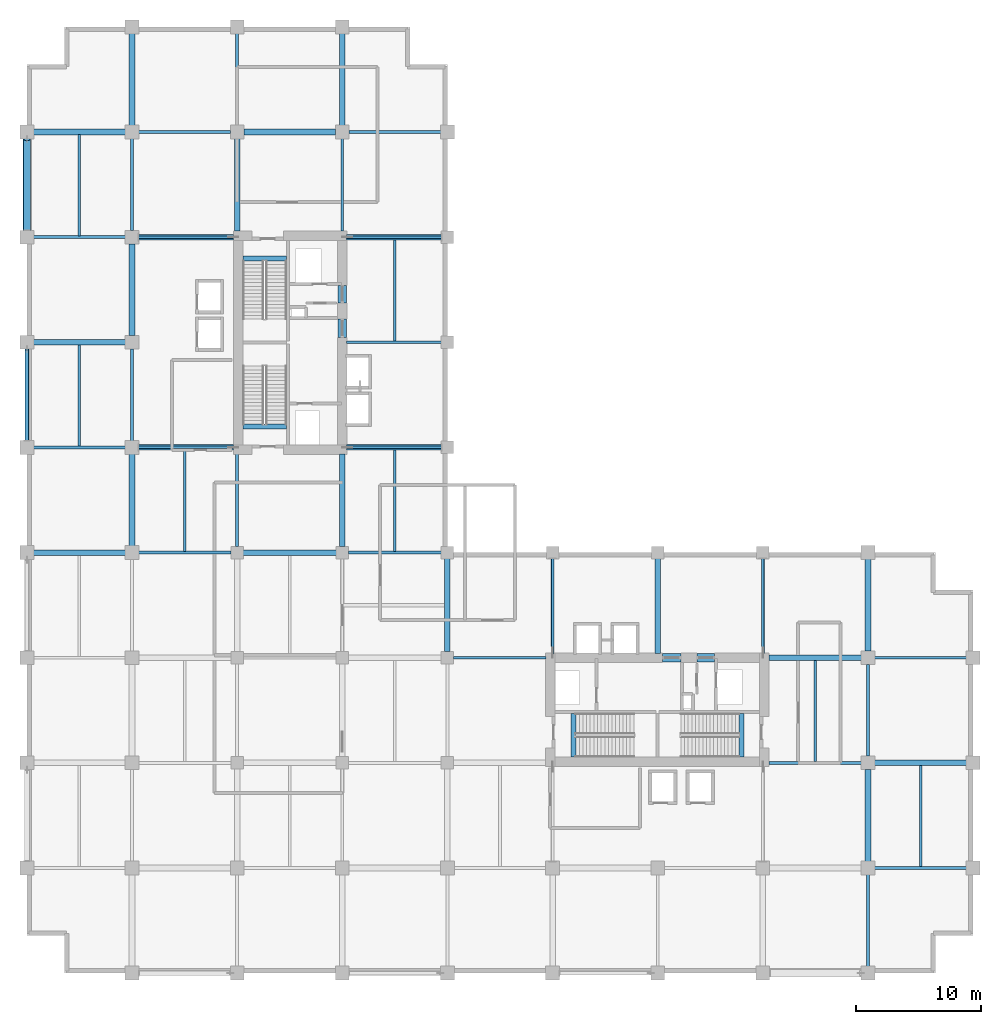
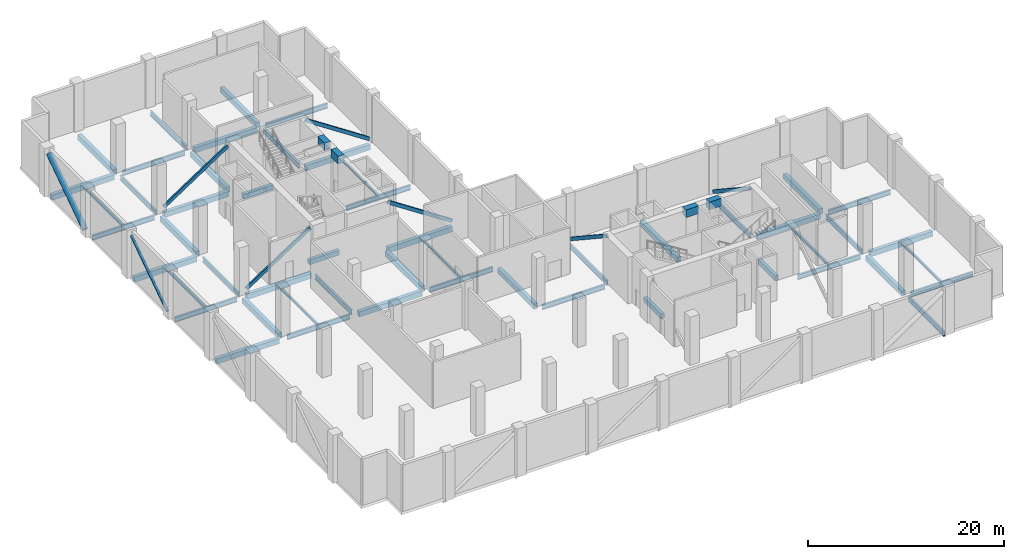
# One storey, part 2 of 16: 56 beams, 8 members.
"""IFC4 building model written with IfcOpenShell, lengths in metres."""

from ifc_helpers import new_model, si_unit, direction, frame, origin, origin_2d, place, context, subcontext, project, spatial, rectangle, hollow_rectangle, hollow_circle, i_section, extrude, material, material_profile, profile_set, type_object, element, save


model = new_model("IFC4")

# Units and contexts
model_context = context("Model", 3, precision=1e-05, world=origin(), true_north=direction((0.0, 1.0)))
body_context = subcontext(model_context, "Body", "Model", "MODEL_VIEW")
ifc_project = project(units=[si_unit("LENGTHUNIT", "METRE"), si_unit("AREAUNIT", "SQUARE_METRE"), si_unit("VOLUMEUNIT", "CUBIC_METRE"), si_unit("PLANEANGLEUNIT", "RADIAN"), si_unit("MASSUNIT", "GRAM", prefix="KILO")], contexts=[model_context])

# Site, building, storey
site_placement = place(None, origin())
site = spatial("IfcSite", under=ifc_project, at=site_placement, CompositionType="ELEMENT")
building_placement = place(site_placement, origin())
building = spatial("IfcBuilding", under=site, at=building_placement, Name="Koriwani Terraces Tower", CompositionType="ELEMENT")
storey_placement = place(building_placement, frame((0.0, 0.0, 162.0)))
storey = spatial("IfcBuildingStorey", under=building, at=storey_placement, Name="L39", CompositionType="ELEMENT", Elevation=162.0)

# Beams
ifc_material_1 = material(Name="Concrete C60/75", Category="concrete")
ifc_material_profile_1 = material_profile(ifc_material_1, rectangle(XDim=0.699951171875, YDim=0.949951171875, at=origin_2d()), Name="Concrete C60/75", Category="LoadBearing")
ifc_profile_set_1 = profile_set([ifc_material_profile_1], Name="Concrete C60/75")
beam_type_1 = type_object("IfcBeamType", Name="BEAM_RC_COUPLING_700X950", PredefinedType="LINTEL", material=ifc_profile_set_1)
beam_1_placement = place(storey_placement, frame((25.199951171875, 50.800048828125, 5.294921875), z_axis=(0.0, 1.0, 0.0), x_axis=(-1.0, 0.0, 0.0)))
element("IfcBeam", 1, at=beam_1_placement, inside=storey, type_object=beam_type_1, Name="L39 Core Coupling Lintel Beam WE1", PredefinedType="LINTEL", context=body_context, shape_type="SweptSolid", body=[
    extrude(rectangle(XDim=0.699951171875, YDim=0.949951171875, at=origin_2d()), origin(), (0.0, 0.0, 1.0), 1.47998046875),
])
beam_2_placement = place(storey_placement, frame((25.199951171875, 53.550048828125, 5.294921875), z_axis=(0.0, 1.0, 0.0), x_axis=(-1.0, 0.0, 0.0)))
element("IfcBeam", 2, at=beam_2_placement, inside=storey, type_object=beam_type_1, Name="L39 Core Coupling Lintel Beam WE2", PredefinedType="LINTEL", context=body_context, shape_type="SweptSolid", body=[
    extrude(rectangle(XDim=0.699951171875, YDim=0.949951171875, at=origin_2d()), origin(), (0.0, 0.0, 1.0), 1.39990234375),
])
beam_3_placement = place(storey_placement, frame((50.800048828125, 25.199951171875, 5.294921875), z_axis=(1.0, 0.0, 0.0), x_axis=(0.0, 1.0, 0.0)))
element("IfcBeam", 3, at=beam_3_placement, inside=storey, type_object=beam_type_1, Name="L39 Core Coupling Lintel Beam EN1", PredefinedType="LINTEL", context=body_context, shape_type="SweptSolid", body=[
    extrude(rectangle(XDim=0.699951171875, YDim=0.949951171875, at=origin_2d()), origin(), (0.0, 0.0, 1.0), 1.47998046875),
])
beam_4_placement = place(storey_placement, frame((53.550048828125, 25.199951171875, 5.294921875), z_axis=(1.0, 0.0, 0.0), x_axis=(0.0, 1.0, 0.0)))
element("IfcBeam", 4, at=beam_4_placement, inside=storey, type_object=beam_type_1, Name="L39 Core Coupling Lintel Beam EN2", PredefinedType="LINTEL", context=body_context, shape_type="SweptSolid", body=[
    extrude(rectangle(XDim=0.699951171875, YDim=0.949951171875, at=origin_2d()), origin(), (0.0, 0.0, 1.0), 1.39990234375),
])
ifc_material_2 = material(Name="Concrete C40/50", Category="concrete")
ifc_material_profile_2 = material_profile(ifc_material_2, rectangle(XDim=0.39990234375, YDim=0.60009765625, at=origin_2d()), Name="Concrete C40/50", Category="LoadBearing")
ifc_profile_set_2 = profile_set([ifc_material_profile_2], Name="Concrete C40/50")
beam_type_2 = type_object("IfcBeamType", Name="BEAM_RC_GRID_400X600", PredefinedType="BEAM", material=ifc_profile_set_2)
for number, where, z_axis, x_axis, name in (
    (5, (17.25, 43.655029296875, -0.300048828125), (1.0, 0.0, 0.0), (0.0, 1.0, 0.0), "L39 Stairwell Header Trimmer Beam ST-W1"),
    (6, (17.25, 57.094970703125, -0.300048828125), (1.0, 0.0, 0.0), (0.0, 1.0, 0.0), "L39 Stairwell Header Trimmer Beam ST-W2"),
    (7, (43.655029296875, 17.25, -0.300048828125), (0.0, 1.0, 0.0), (-1.0, 0.0, 0.0), "L39 Stairwell Header Trimmer Beam ST-E1"),
    (8, (57.094970703125, 17.25, -0.300048828125), (0.0, 1.0, 0.0), (-1.0, 0.0, 0.0), "L39 Stairwell Header Trimmer Beam ST-E2"),
):
    element("IfcBeam", number, at=place(storey_placement, frame(where, z_axis=z_axis, x_axis=x_axis)), inside=storey, type_object=beam_type_2, Name=name, PredefinedType="BEAM", context=body_context, shape_type="SweptSolid", body=[
        extrude(rectangle(XDim=0.39990234375, YDim=0.60009765625, at=origin_2d()), origin(), (0.0, 0.0, 1.0), 3.5),
    ])
ifc_material_3 = material(Name="Concrete C50/60", Category="concrete")
ifc_material_profile_3 = material_profile(ifc_material_3, rectangle(XDim=0.449951171875, YDim=0.64990234375, at=origin_2d()), Name="Concrete C50/60", Category="LoadBearing")
ifc_profile_set_3 = profile_set([ifc_material_profile_3], Name="Concrete C50/60")
beam_type_3 = type_object("IfcBeamType", Name="BEAM_RC_GRID_450X650", PredefinedType="BEAM", material=ifc_profile_set_3)
beam_5_placement = place(storey_placement, frame((67.72998046875, 16.800048828125, -0.675048828125), z_axis=(1.0, 0.0, 0.0), x_axis=(0.0, 1.0, 0.0)))
element("IfcBeam", 9, at=beam_5_placement, inside=storey, type_object=beam_type_3, Name="L39 Grid Beam C (67.2-75.6m)", PredefinedType="BEAM", context=body_context, shape_type="SweptSolid", body=[
    extrude(rectangle(XDim=0.449951171875, YDim=0.64990234375, at=origin_2d()), origin(), (0.0, 0.0, 1.0), 7.340087890625),
])
beam_6_placement = place(storey_placement, frame((59.280029296875, 25.199951171875, -0.675048828125), z_axis=(1.0, 0.0, 0.0), x_axis=(0.0, 1.0, 0.0)))
element("IfcBeam", 10, at=beam_6_placement, inside=storey, type_object=beam_type_3, Name="L39 Grid Beam D (58.8-67.2m)", PredefinedType="BEAM", context=body_context, shape_type="SweptSolid", body=[
    extrude(rectangle(XDim=0.449951171875, YDim=0.64990234375, at=origin_2d()), origin(), (0.0, 0.0, 1.0), 7.389892578125),
])
beam_7_placement = place(storey_placement, frame((0.530029296875, 33.60009765625, -0.675048828125), z_axis=(1.0, 0.0, 0.0), x_axis=(0.0, 1.0, 0.0)))
element("IfcBeam", 11, at=beam_7_placement, inside=storey, type_object=beam_type_3, Name="L39 Grid Beam E (0.0-8.4m)", PredefinedType="BEAM", context=body_context, shape_type="SweptSolid", body=[
    extrude(rectangle(XDim=0.449951171875, YDim=0.64990234375, at=origin_2d()), origin(), (0.0, 0.0, 1.0), 7.340087890625),
])
beam_8_placement = place(storey_placement, frame((17.280029296875, 33.60009765625, -0.675048828125), z_axis=(1.0, 0.0, 0.0), x_axis=(0.0, 1.0, 0.0)))
element("IfcBeam", 12, at=beam_8_placement, inside=storey, type_object=beam_type_3, Name="L39 Grid Beam E (16.8-25.2m)", PredefinedType="BEAM", context=body_context, shape_type="SweptSolid", body=[
    extrude(rectangle(XDim=0.449951171875, YDim=0.64990234375, at=origin_2d()), origin(), (0.0, 0.0, 1.0), 7.43994140625),
])
beam_9_placement = place(storey_placement, frame((8.929931640625, 42.0, -0.675048828125), z_axis=(1.0, 0.0, 0.0), x_axis=(0.0, 1.0, 0.0)))
element("IfcBeam", 13, at=beam_9_placement, inside=storey, type_object=beam_type_3, Name="L39 Grid Beam F (8.4-16.8m)", PredefinedType="BEAM", context=body_context, shape_type="SweptSolid", body=[
    extrude(rectangle(XDim=0.449951171875, YDim=0.64990234375, at=origin_2d()), origin(), (0.0, 0.0, 1.0), 7.590087890625),
])
beam_10_placement = place(storey_placement, frame((25.554931640625, 42.0, -0.675048828125), z_axis=(1.0, 0.0, 0.0), x_axis=(0.0, 1.0, 0.0)))
element("IfcBeam", 14, at=beam_10_placement, inside=storey, type_object=beam_type_3, Name="L39 Grid Beam F (25.2-33.6m)", PredefinedType="BEAM", context=body_context, shape_type="SweptSolid", body=[
    extrude(rectangle(XDim=0.449951171875, YDim=0.64990234375, at=origin_2d()), origin(), (0.0, 0.0, 1.0), 7.565185546875),
])
beam_11_placement = place(storey_placement, frame((0.530029296875, 50.39990234375, -0.675048828125), z_axis=(1.0, 0.0, 0.0), x_axis=(0.0, 1.0, 0.0)))
element("IfcBeam", 15, at=beam_11_placement, inside=storey, type_object=beam_type_3, Name="L39 Grid Beam G (0.0-8.4m)", PredefinedType="BEAM", context=body_context, shape_type="SweptSolid", body=[
    extrude(rectangle(XDim=0.449951171875, YDim=0.64990234375, at=origin_2d()), origin(), (0.0, 0.0, 1.0), 7.340087890625),
])
beam_12_placement = place(storey_placement, frame((8.929931640625, 58.800048828125, -0.675048828125), z_axis=(1.0, 0.0, 0.0), x_axis=(0.0, 1.0, 0.0)))
element("IfcBeam", 16, at=beam_12_placement, inside=storey, type_object=beam_type_3, Name="L39 Grid Beam H (8.4-16.8m)", PredefinedType="BEAM", context=body_context, shape_type="SweptSolid", body=[
    extrude(rectangle(XDim=0.449951171875, YDim=0.64990234375, at=origin_2d()), origin(), (0.0, 0.0, 1.0), 7.590087890625),
])
beam_13_placement = place(storey_placement, frame((25.554931640625, 58.800048828125, -0.675048828125), z_axis=(1.0, 0.0, 0.0), x_axis=(0.0, 1.0, 0.0)))
element("IfcBeam", 17, at=beam_13_placement, inside=storey, type_object=beam_type_3, Name="L39 Grid Beam H (25.2-33.6m)", PredefinedType="BEAM", context=body_context, shape_type="SweptSolid", body=[
    extrude(rectangle(XDim=0.449951171875, YDim=0.64990234375, at=origin_2d()), origin(), (0.0, 0.0, 1.0), 7.565185546875),
])
beam_14_placement = place(storey_placement, frame((0.530029296875, 67.199951171875, -0.675048828125), z_axis=(1.0, 0.0, 0.0), x_axis=(0.0, 1.0, 0.0)))
element("IfcBeam", 18, at=beam_14_placement, inside=storey, type_object=beam_type_3, Name="L39 Grid Beam I (0.0-8.4m)", PredefinedType="BEAM", context=body_context, shape_type="SweptSolid", body=[
    extrude(rectangle(XDim=0.449951171875, YDim=0.64990234375, at=origin_2d()), origin(), (0.0, 0.0, 1.0), 7.340087890625),
])
beam_15_placement = place(storey_placement, frame((17.330078125, 67.199951171875, -0.675048828125), z_axis=(1.0, 0.0, 0.0), x_axis=(0.0, 1.0, 0.0)))
element("IfcBeam", 19, at=beam_15_placement, inside=storey, type_object=beam_type_3, Name="L39 Grid Beam I (16.8-25.2m)", PredefinedType="BEAM", context=body_context, shape_type="SweptSolid", body=[
    extrude(rectangle(XDim=0.449951171875, YDim=0.64990234375, at=origin_2d()), origin(), (0.0, 0.0, 1.0), 7.33984375),
])
for number, where, z_axis, x_axis, name in (
    (20, (8.39990234375, 34.1298828125, -0.675048828125), (0.0, 1.0, 0.0), (-1.0, 0.0, 0.0), "L39 Grid Beam 2 (33.6-42.0m)"),
    (21, (8.39990234375, 50.929931640625, -0.675048828125), (0.0, 1.0, 0.0), (-1.0, 0.0, 0.0), "L39 Grid Beam 2 (50.4-58.8m)"),
    (22, (8.39990234375, 67.72998046875, -0.675048828125), (0.0, 1.0, 0.0), (-1.0, 0.0, 0.0), "L39 Grid Beam 2 (67.2-75.6m)"),
):
    element("IfcBeam", number, at=place(storey_placement, frame(where, z_axis=z_axis, x_axis=x_axis)), inside=storey, type_object=beam_type_3, Name=name, PredefinedType="BEAM", context=body_context, shape_type="SweptSolid", body=[
        extrude(rectangle(XDim=0.449951171875, YDim=0.64990234375, at=origin_2d()), origin(), (0.0, 0.0, 1.0), 7.340087890625),
    ])
for number, where, z_axis, x_axis, name in (
    (23, (16.800048828125, 59.280029296875, -0.675048828125), (0.0, 1.0, 0.0), (-1.0, 0.0, 0.0), "L39 Grid Beam 3 (58.8-67.2m)"),
    (24, (25.199951171875, 34.080078125, -0.675048828125), (0.0, 1.0, 0.0), (-1.0, 0.0, 0.0), "L39 Grid Beam 4 (33.6-42.0m)"),
):
    element("IfcBeam", number, at=place(storey_placement, frame(where, z_axis=z_axis, x_axis=x_axis)), inside=storey, type_object=beam_type_3, Name=name, PredefinedType="BEAM", context=body_context, shape_type="SweptSolid", body=[
        extrude(rectangle(XDim=0.449951171875, YDim=0.64990234375, at=origin_2d()), origin(), (0.0, 0.0, 1.0), 7.389892578125),
    ])
beam_16_placement = place(storey_placement, frame((25.199951171875, 67.72998046875, -0.675048828125), z_axis=(0.0, 1.0, 0.0), x_axis=(-1.0, 0.0, 0.0)))
element("IfcBeam", 25, at=beam_16_placement, inside=storey, type_object=beam_type_3, Name="L39 Grid Beam 4 (67.2-75.6m)", PredefinedType="BEAM", context=body_context, shape_type="SweptSolid", body=[
    extrude(rectangle(XDim=0.449951171875, YDim=0.64990234375, at=origin_2d()), origin(), (0.0, 0.0, 1.0), 7.340087890625),
])
beam_17_placement = place(storey_placement, frame((33.60009765625, 25.679931640625, -0.675048828125), z_axis=(0.0, 1.0, 0.0), x_axis=(-1.0, 0.0, 0.0)))
element("IfcBeam", 26, at=beam_17_placement, inside=storey, type_object=beam_type_3, Name="L39 Grid Beam 5 (25.2-33.6m)", PredefinedType="BEAM", context=body_context, shape_type="SweptSolid", body=[
    extrude(rectangle(XDim=0.449951171875, YDim=0.64990234375, at=origin_2d()), origin(), (0.0, 0.0, 1.0), 7.440185546875),
])
beam_18_placement = place(storey_placement, frame((50.39990234375, 25.554931640625, -0.675048828125), z_axis=(0.0, 1.0, 0.0), x_axis=(-1.0, 0.0, 0.0)))
element("IfcBeam", 27, at=beam_18_placement, inside=storey, type_object=beam_type_3, Name="L39 Grid Beam 7 (25.2-33.6m)", PredefinedType="BEAM", context=body_context, shape_type="SweptSolid", body=[
    extrude(rectangle(XDim=0.449951171875, YDim=0.64990234375, at=origin_2d()), origin(), (0.0, 0.0, 1.0), 7.565185546875),
])
for number, where, z_axis, x_axis, name in (
    (28, (67.199951171875, 8.929931640625, -0.675048828125), (0.0, 1.0, 0.0), (-1.0, 0.0, 0.0), "L39 Grid Beam 9 (8.4-16.8m)"),
    (29, (67.199951171875, 25.72998046875, -0.675048828125), (0.0, 1.0, 0.0), (-1.0, 0.0, 0.0), "L39 Grid Beam 9 (25.2-33.6m)"),
):
    element("IfcBeam", number, at=place(storey_placement, frame(where, z_axis=z_axis, x_axis=x_axis)), inside=storey, type_object=beam_type_3, Name=name, PredefinedType="BEAM", context=body_context, shape_type="SweptSolid", body=[
        extrude(rectangle(XDim=0.449951171875, YDim=0.64990234375, at=origin_2d()), origin(), (0.0, 0.0, 1.0), 7.340087890625),
    ])

# Members
ifc_material_4 = material(Name="Steel ASTM A572 Grade 50", Category="steel")
ifc_material_profile_4 = material_profile(ifc_material_4, hollow_circle(Radius=0.162109375, WallThickness=0.012451171875, at=origin_2d()), Name="Steel ASTM A572 Grade 50", Category="LoadBearing")
ifc_profile_set_4 = profile_set([ifc_material_profile_4], Name="Steel ASTM A572 Grade 50")
member_type_1 = type_object("IfcMemberType", Name="BELT_TRUSS_DIAG_CHS324X12", PredefinedType="BRACE", material=ifc_profile_set_4)
member_1_placement = place(storey_placement, frame((0.0, 42.530029296875, 0.25), z_axis=(0.0, 0.828041606434, 0.560666654987), x_axis=(-1.0, 0.0, 0.0)))
element("IfcMember", 30, at=member_1_placement, inside=storey, type_object=member_type_1, Name="Belt truss diagonal L39-BW3", PredefinedType="BRACE", context=body_context, shape_type="SweptSolid", body=[
    extrude(hollow_circle(Radius=0.162109375, WallThickness=0.012451171875, at=origin_2d()), origin(), (0.0, 0.0, 1.0), 8.864501953125),
])
ifc_material_profile_5 = material_profile(ifc_material_4, hollow_circle(Radius=0.304931640625, WallThickness=0.02490234375, at=origin_2d()), Name="Steel ASTM A572 Grade 50", Category="LoadBearing")
ifc_profile_set_5 = profile_set([ifc_material_profile_5], Name="Steel ASTM A572 Grade 50")
member_type_2 = type_object("IfcMemberType", Name="BELT_TRUSS_DIAG_CHS610X25", PredefinedType="STRUT", material=ifc_profile_set_5)
member_2_placement = place(storey_placement, frame((0.0, 59.330078125, 0.25), z_axis=(0.0, 0.82803294848, 0.560679441598), x_axis=(-1.0, 0.0, 0.0)))
element("IfcMember", 31, at=member_2_placement, inside=storey, type_object=member_type_2, Name="Belt truss diagonal L39-BW4", PredefinedType="STRUT", context=body_context, shape_type="SweptSolid", body=[
    extrude(hollow_circle(Radius=0.304931640625, WallThickness=0.02490234375, at=origin_2d()), origin(), (0.0, 0.0, 1.0), 8.8642578125),
])
ifc_material_profile_6 = material_profile(ifc_material_4, hollow_rectangle(XDim=0.199951171875, YDim=0.39990234375, WallThickness=0.01416015625, at=origin_2d()), Name="Steel ASTM A572 Grade 50", Category="LoadBearing")
ifc_profile_set_6 = profile_set([ifc_material_profile_6], Name="Steel ASTM A572 Grade 50")
member_type_3 = type_object("IfcMemberType", Name="OUTRIGGER_BRACE_HSS400X200X14", PredefinedType="BRACE", material=ifc_profile_set_6)
for number, where, z_axis, x_axis, name in (
    (32, (8.929931640625, 42.0, 0.25), (0.835273128378, 0.0, 0.54983524897), (0.0, 1.0, 0.0), "Outrigger truss diagonal L39-OW-W1"),
    (33, (8.929931640625, 58.800048828125, 0.25), (0.835273128378, 0.0, 0.54983524897), (0.0, 1.0, 0.0), "Outrigger truss diagonal L39-OW-W2"),
):
    element("IfcMember", number, at=place(storey_placement, frame(where, z_axis=z_axis, x_axis=x_axis)), inside=storey, type_object=member_type_3, Name=name, PredefinedType="BRACE", context=body_context, shape_type="SweptSolid", body=[
        extrude(hollow_rectangle(XDim=0.199951171875, YDim=0.39990234375, WallThickness=0.01416015625, at=origin_2d()), origin(), (0.0, 0.0, 1.0), 9.0390625),
    ])
for number, where, z_axis, x_axis, name in (
    (34, (33.1201171875, 42.0, 0.25), (-0.834437362341, 0.0, 0.551102792888), (0.0, -1.0, 0.0), "Outrigger truss diagonal L39-OW-E1"),
    (35, (33.1201171875, 58.800048828125, 0.25), (-0.834437362341, 0.0, 0.551102792888), (0.0, -1.0, 0.0), "Outrigger truss diagonal L39-OW-E2"),
    (36, (42.0, 33.1201171875, 0.25), (0.0, -0.834437362341, 0.551102792888), (1.0, 0.0, 0.0), "Outrigger truss diagonal L39-OE-N1"),
    (37, (58.800048828125, 33.1201171875, 0.25), (0.0, -0.834437362341, 0.551102792888), (1.0, 0.0, 0.0), "Outrigger truss diagonal L39-OE-N2"),
):
    element("IfcMember", number, at=place(storey_placement, frame(where, z_axis=z_axis, x_axis=x_axis)), inside=storey, type_object=member_type_3, Name=name, PredefinedType="BRACE", context=body_context, shape_type="SweptSolid", body=[
        extrude(hollow_rectangle(XDim=0.199951171875, YDim=0.39990234375, WallThickness=0.01416015625, at=origin_2d()), origin(), (0.0, 0.0, 1.0), 9.018310546875),
    ])

# Beams
ifc_material_profile_7 = material_profile(ifc_material_4, i_section(OverallWidth=0.205078125, OverallDepth=0.31005859375, WebThickness=0.009521484375, FlangeThickness=0.016357421875, at=origin_2d()), Name="Steel ASTM A572 Grade 50", Category="LoadBearing")
ifc_profile_set_7 = profile_set([ifc_material_profile_7], Name="Steel ASTM A572 Grade 50")
beam_type_4 = type_object("IfcBeamType", Name="STEEL_BEAM_W310X74", PredefinedType="JOIST", material=ifc_profile_set_7)
for number, where, z_axis, x_axis, name in (
    (38, (4.199951171875, 42.1044921875, -0.5048828125), (0.0, 1.0, 0.0), (-1.0, 0.0, 0.0), "L39 Secondary Steel Floor Joist X=4.2m"),
    (39, (4.199951171875, 58.904541015625, -0.5048828125), (0.0, 1.0, 0.0), (-1.0, 0.0, 0.0), "L39 Secondary Steel Floor Joist X=4.2m"),
):
    element("IfcBeam", number, at=place(storey_placement, frame(where, z_axis=z_axis, x_axis=x_axis)), inside=storey, type_object=beam_type_4, Name=name, PredefinedType="JOIST", context=body_context, shape_type="SweptSolid", body=[
        extrude(i_section(OverallWidth=0.205078125, OverallDepth=0.31005859375, WebThickness=0.009521484375, FlangeThickness=0.016357421875, at=origin_2d()), origin(), (0.0, 0.0, 1.0), 8.08056640625),
    ])
for number, where, z_axis, x_axis, name in (
    (40, (12.60009765625, 33.70458984375, -0.5048828125), (0.0, 1.0, 0.0), (-1.0, 0.0, 0.0), "L39 Secondary Steel Floor Joist X=12.6m"),
    (41, (29.39990234375, 33.70458984375, -0.5048828125), (0.0, 1.0, 0.0), (-1.0, 0.0, 0.0), "L39 Secondary Steel Floor Joist X=29.4m"),
):
    element("IfcBeam", number, at=place(storey_placement, frame(where, z_axis=z_axis, x_axis=x_axis)), inside=storey, type_object=beam_type_4, Name=name, PredefinedType="JOIST", context=body_context, shape_type="SweptSolid", body=[
        extrude(i_section(OverallWidth=0.205078125, OverallDepth=0.31005859375, WebThickness=0.009521484375, FlangeThickness=0.016357421875, at=origin_2d()), origin(), (0.0, 0.0, 1.0), 8.080322265625),
    ])
for number, where, z_axis, x_axis, name in (
    (42, (29.39990234375, 50.50439453125, -0.5048828125), (0.0, 1.0, 0.0), (-1.0, 0.0, 0.0), "L39 Secondary Steel Floor Joist X=29.4m"),
    (43, (63.0, 16.904541015625, -0.5048828125), (0.0, 1.0, 0.0), (-1.0, 0.0, 0.0), "L39 Secondary Steel Floor Joist X=63.0m"),
    (44, (71.39990234375, 8.50439453125, -0.5048828125), (0.0, 1.0, 0.0), (-1.0, 0.0, 0.0), "L39 Secondary Steel Floor Joist X=71.4m"),
):
    element("IfcBeam", number, at=place(storey_placement, frame(where, z_axis=z_axis, x_axis=x_axis)), inside=storey, type_object=beam_type_4, Name=name, PredefinedType="JOIST", context=body_context, shape_type="SweptSolid", body=[
        extrude(i_section(OverallWidth=0.205078125, OverallDepth=0.31005859375, WebThickness=0.009521484375, FlangeThickness=0.016357421875, at=origin_2d()), origin(), (0.0, 0.0, 1.0), 8.08056640625),
    ])
ifc_material_profile_8 = material_profile(ifc_material_4, i_section(OverallWidth=0.22900390625, OverallDepth=0.611083984375, WebThickness=0.0126953125, FlangeThickness=0.022216796875, at=origin_2d()), Name="Steel ASTM A572 Grade 50", Category="LoadBearing")
ifc_profile_set_8 = profile_set([ifc_material_profile_8], Name="Steel ASTM A572 Grade 50")
beam_type_5 = type_object("IfcBeamType", Name="STEEL_BEAM_W610X155", PredefinedType="BEAM", material=ifc_profile_set_8)
beam_19_placement = place(storey_placement, frame((67.72998046875, 8.39990234375, -0.655517578125), z_axis=(1.0, 0.0, 0.0), x_axis=(0.0, 1.0, 0.0)))
element("IfcBeam", 45, at=beam_19_placement, inside=storey, type_object=beam_type_5, Name="L39 Grid Beam B (67.2-75.6m)", PredefinedType="BEAM", context=body_context, shape_type="SweptSolid", body=[
    extrude(i_section(OverallWidth=0.22900390625, OverallDepth=0.611083984375, WebThickness=0.0126953125, FlangeThickness=0.022216796875, at=origin_2d()), origin(), (0.0, 0.0, 1.0), 7.340087890625),
])
for number, where, z_axis, x_axis, name in (
    (46, (59.280029296875, 16.800048828125, -0.655517578125), (1.0, 0.0, 0.0), (0.0, 1.0, 0.0), "L39 Grid Beam C (58.8-67.2m)"),
    (47, (34.080078125, 25.199951171875, -0.655517578125), (1.0, 0.0, 0.0), (0.0, 1.0, 0.0), "L39 Grid Beam D (33.6-42.0m)"),
):
    element("IfcBeam", number, at=place(storey_placement, frame(where, z_axis=z_axis, x_axis=x_axis)), inside=storey, type_object=beam_type_5, Name=name, PredefinedType="BEAM", context=body_context, shape_type="SweptSolid", body=[
        extrude(i_section(OverallWidth=0.22900390625, OverallDepth=0.611083984375, WebThickness=0.0126953125, FlangeThickness=0.022216796875, at=origin_2d()), origin(), (0.0, 0.0, 1.0), 7.389892578125),
    ])
beam_20_placement = place(storey_placement, frame((67.72998046875, 25.199951171875, -0.655517578125), z_axis=(1.0, 0.0, 0.0), x_axis=(0.0, 1.0, 0.0)))
element("IfcBeam", 48, at=beam_20_placement, inside=storey, type_object=beam_type_5, Name="L39 Grid Beam D (67.2-75.6m)", PredefinedType="BEAM", context=body_context, shape_type="SweptSolid", body=[
    extrude(i_section(OverallWidth=0.22900390625, OverallDepth=0.611083984375, WebThickness=0.0126953125, FlangeThickness=0.022216796875, at=origin_2d()), origin(), (0.0, 0.0, 1.0), 7.340087890625),
])
beam_21_placement = place(storey_placement, frame((8.929931640625, 33.60009765625, -0.655517578125), z_axis=(1.0, 0.0, 0.0), x_axis=(0.0, 1.0, 0.0)))
element("IfcBeam", 49, at=beam_21_placement, inside=storey, type_object=beam_type_5, Name="L39 Grid Beam E (8.4-16.8m)", PredefinedType="BEAM", context=body_context, shape_type="SweptSolid", body=[
    extrude(i_section(OverallWidth=0.22900390625, OverallDepth=0.611083984375, WebThickness=0.0126953125, FlangeThickness=0.022216796875, at=origin_2d()), origin(), (0.0, 0.0, 1.0), 7.39013671875),
])
beam_22_placement = place(storey_placement, frame((25.679931640625, 33.60009765625, -0.655517578125), z_axis=(1.0, 0.0, 0.0), x_axis=(0.0, 1.0, 0.0)))
element("IfcBeam", 50, at=beam_22_placement, inside=storey, type_object=beam_type_5, Name="L39 Grid Beam E (25.2-33.6m)", PredefinedType="BEAM", context=body_context, shape_type="SweptSolid", body=[
    extrude(i_section(OverallWidth=0.22900390625, OverallDepth=0.611083984375, WebThickness=0.0126953125, FlangeThickness=0.022216796875, at=origin_2d()), origin(), (0.0, 0.0, 1.0), 7.440185546875),
])
beam_23_placement = place(storey_placement, frame((0.530029296875, 42.0, -0.655517578125), z_axis=(1.0, 0.0, 0.0), x_axis=(0.0, 1.0, 0.0)))
element("IfcBeam", 51, at=beam_23_placement, inside=storey, type_object=beam_type_5, Name="L39 Grid Beam F (0.0-8.4m)", PredefinedType="BEAM", context=body_context, shape_type="SweptSolid", body=[
    extrude(i_section(OverallWidth=0.22900390625, OverallDepth=0.611083984375, WebThickness=0.0126953125, FlangeThickness=0.022216796875, at=origin_2d()), origin(), (0.0, 0.0, 1.0), 7.340087890625),
])
beam_24_placement = place(storey_placement, frame((25.554931640625, 50.39990234375, -0.655517578125), z_axis=(1.0, 0.0, 0.0), x_axis=(0.0, 1.0, 0.0)))
element("IfcBeam", 52, at=beam_24_placement, inside=storey, type_object=beam_type_5, Name="L39 Grid Beam G (25.2-33.6m)", PredefinedType="BEAM", context=body_context, shape_type="SweptSolid", body=[
    extrude(i_section(OverallWidth=0.22900390625, OverallDepth=0.611083984375, WebThickness=0.0126953125, FlangeThickness=0.022216796875, at=origin_2d()), origin(), (0.0, 0.0, 1.0), 7.565185546875),
])
for number, where, z_axis, x_axis, name in (
    (53, (0.530029296875, 58.800048828125, -0.655517578125), (1.0, 0.0, 0.0), (0.0, 1.0, 0.0), "L39 Grid Beam H (0.0-8.4m)"),
    (54, (8.929931640625, 67.199951171875, -0.655517578125), (1.0, 0.0, 0.0), (0.0, 1.0, 0.0), "L39 Grid Beam I (8.4-16.8m)"),
    (55, (25.72998046875, 67.199951171875, -0.655517578125), (1.0, 0.0, 0.0), (0.0, 1.0, 0.0), "L39 Grid Beam I (25.2-33.6m)"),
    (56, (8.39990234375, 42.530029296875, -0.655517578125), (0.0, 1.0, 0.0), (-1.0, 0.0, 0.0), "L39 Grid Beam 2 (42.0-50.4m)"),
):
    element("IfcBeam", number, at=place(storey_placement, frame(where, z_axis=z_axis, x_axis=x_axis)), inside=storey, type_object=beam_type_5, Name=name, PredefinedType="BEAM", context=body_context, shape_type="SweptSolid", body=[
        extrude(i_section(OverallWidth=0.22900390625, OverallDepth=0.611083984375, WebThickness=0.0126953125, FlangeThickness=0.022216796875, at=origin_2d()), origin(), (0.0, 0.0, 1.0), 7.340087890625),
    ])
beam_25_placement = place(storey_placement, frame((8.39990234375, 59.330078125, -0.655517578125), z_axis=(0.0, 1.0, 0.0), x_axis=(-1.0, 0.0, 0.0)))
element("IfcBeam", 57, at=beam_25_placement, inside=storey, type_object=beam_type_5, Name="L39 Grid Beam 2 (58.8-67.2m)", PredefinedType="BEAM", context=body_context, shape_type="SweptSolid", body=[
    extrude(i_section(OverallWidth=0.22900390625, OverallDepth=0.611083984375, WebThickness=0.0126953125, FlangeThickness=0.022216796875, at=origin_2d()), origin(), (0.0, 0.0, 1.0), 7.33984375),
])
beam_26_placement = place(storey_placement, frame((16.800048828125, 34.080078125, -0.655517578125), z_axis=(0.0, 1.0, 0.0), x_axis=(-1.0, 0.0, 0.0)))
element("IfcBeam", 58, at=beam_26_placement, inside=storey, type_object=beam_type_5, Name="L39 Grid Beam 3 (33.6-42.0m)", PredefinedType="BEAM", context=body_context, shape_type="SweptSolid", body=[
    extrude(i_section(OverallWidth=0.22900390625, OverallDepth=0.611083984375, WebThickness=0.0126953125, FlangeThickness=0.022216796875, at=origin_2d()), origin(), (0.0, 0.0, 1.0), 7.389892578125),
])
beam_27_placement = place(storey_placement, frame((16.800048828125, 67.72998046875, -0.655517578125), z_axis=(0.0, 1.0, 0.0), x_axis=(-1.0, 0.0, 0.0)))
element("IfcBeam", 59, at=beam_27_placement, inside=storey, type_object=beam_type_5, Name="L39 Grid Beam 3 (67.2-75.6m)", PredefinedType="BEAM", context=body_context, shape_type="SweptSolid", body=[
    extrude(i_section(OverallWidth=0.22900390625, OverallDepth=0.611083984375, WebThickness=0.0126953125, FlangeThickness=0.022216796875, at=origin_2d()), origin(), (0.0, 0.0, 1.0), 7.340087890625),
])
beam_28_placement = place(storey_placement, frame((25.199951171875, 59.280029296875, -0.655517578125), z_axis=(0.0, 1.0, 0.0), x_axis=(-1.0, 0.0, 0.0)))
element("IfcBeam", 60, at=beam_28_placement, inside=storey, type_object=beam_type_5, Name="L39 Grid Beam 4 (58.8-67.2m)", PredefinedType="BEAM", context=body_context, shape_type="SweptSolid", body=[
    extrude(i_section(OverallWidth=0.22900390625, OverallDepth=0.611083984375, WebThickness=0.0126953125, FlangeThickness=0.022216796875, at=origin_2d()), origin(), (0.0, 0.0, 1.0), 7.389892578125),
])
for number, where, z_axis, x_axis, name in (
    (61, (42.0, 25.554931640625, -0.655517578125), (0.0, 1.0, 0.0), (-1.0, 0.0, 0.0), "L39 Grid Beam 6 (25.2-33.6m)"),
    (62, (58.800048828125, 25.554931640625, -0.655517578125), (0.0, 1.0, 0.0), (-1.0, 0.0, 0.0), "L39 Grid Beam 8 (25.2-33.6m)"),
):
    element("IfcBeam", number, at=place(storey_placement, frame(where, z_axis=z_axis, x_axis=x_axis)), inside=storey, type_object=beam_type_5, Name=name, PredefinedType="BEAM", context=body_context, shape_type="SweptSolid", body=[
        extrude(i_section(OverallWidth=0.22900390625, OverallDepth=0.611083984375, WebThickness=0.0126953125, FlangeThickness=0.022216796875, at=origin_2d()), origin(), (0.0, 0.0, 1.0), 7.565185546875),
    ])
beam_29_placement = place(storey_placement, frame((67.199951171875, 0.530029296875, -0.655517578125), z_axis=(0.0, 1.0, 0.0), x_axis=(-1.0, 0.0, 0.0)))
element("IfcBeam", 63, at=beam_29_placement, inside=storey, type_object=beam_type_5, Name="L39 Grid Beam 9 (0.0-8.4m)", PredefinedType="BEAM", context=body_context, shape_type="SweptSolid", body=[
    extrude(i_section(OverallWidth=0.22900390625, OverallDepth=0.611083984375, WebThickness=0.0126953125, FlangeThickness=0.022216796875, at=origin_2d()), origin(), (0.0, 0.0, 1.0), 7.340087890625),
])
beam_30_placement = place(storey_placement, frame((67.199951171875, 17.330078125, -0.655517578125), z_axis=(0.0, 1.0, 0.0), x_axis=(-1.0, 0.0, 0.0)))
element("IfcBeam", 64, at=beam_30_placement, inside=storey, type_object=beam_type_5, Name="L39 Grid Beam 9 (16.8-25.2m)", PredefinedType="BEAM", context=body_context, shape_type="SweptSolid", body=[
    extrude(i_section(OverallWidth=0.22900390625, OverallDepth=0.611083984375, WebThickness=0.0126953125, FlangeThickness=0.022216796875, at=origin_2d()), origin(), (0.0, 0.0, 1.0), 7.33984375),
])

save(model, "model.ifc")
